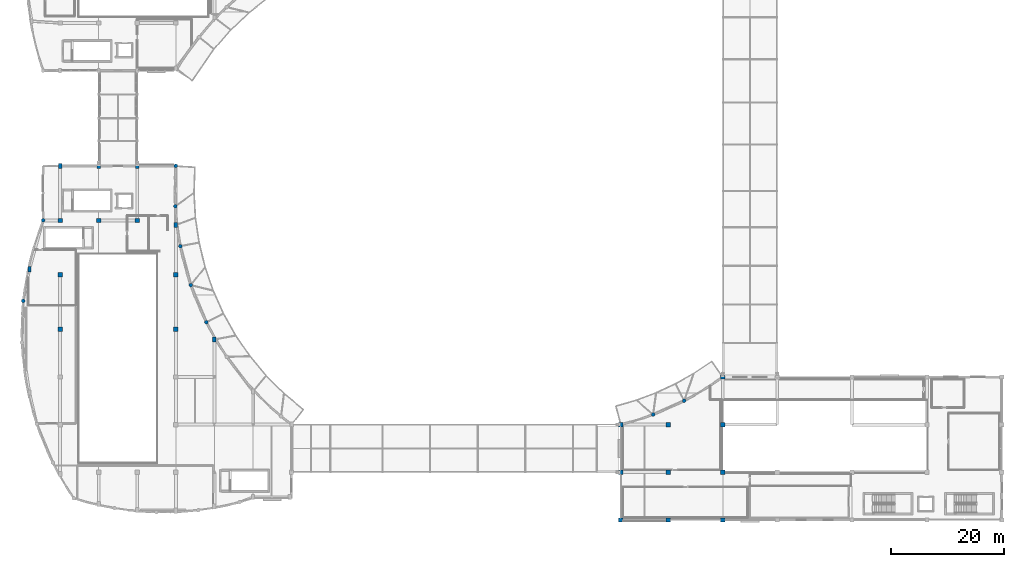
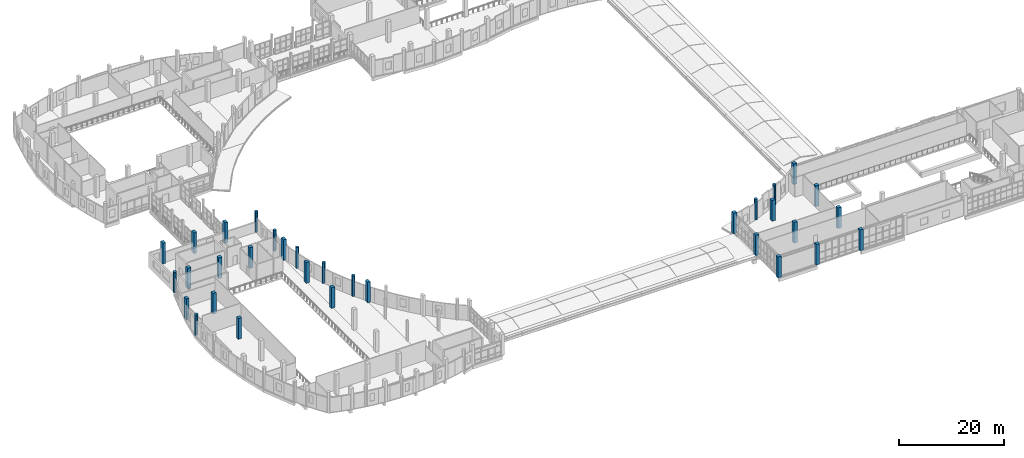
# One storey, part 3 of 106: 32 columns.
"""IFC4 building model written with IfcOpenShell, lengths in metres."""

from ifc_helpers import new_model, si_unit, direction, frame, origin, origin_2d, place, context, subcontext, project, spatial, rectangle, circle, extrude, material, material_profile, profile_set, type_object, element, save


model = new_model("IFC4")

# Units and contexts
model_context = context("Model", 3, precision=1e-05, world=origin(), true_north=direction((0.0, 1.0)))
body_context = subcontext(model_context, "Body", "Model", "MODEL_VIEW")
ifc_project = project(units=[si_unit("LENGTHUNIT", "METRE"), si_unit("AREAUNIT", "SQUARE_METRE"), si_unit("VOLUMEUNIT", "CUBIC_METRE"), si_unit("PLANEANGLEUNIT", "RADIAN"), si_unit("MASSUNIT", "GRAM", prefix="KILO")], contexts=[model_context])

# Site, building, storey
site_placement = place(None, origin())
site = spatial("IfcSite", under=ifc_project, at=site_placement, CompositionType="ELEMENT")
building_placement = place(site_placement, origin())
building = spatial("IfcBuilding", under=site, at=building_placement, Name="Kisaragi Civic Commons", CompositionType="ELEMENT")
storey_placement = place(building_placement, frame((0.0, 0.0, 4.800048828125)))
storey = spatial("IfcBuildingStorey", under=building, at=storey_placement, Name="L01", CompositionType="ELEMENT", Elevation=4.800048828125)

# Columns
ifc_material_1 = material(Name="Concrete Fc36", Category="concrete")
ifc_material_profile_1 = material_profile(ifc_material_1, rectangle(XDim=0.75, YDim=0.75, at=origin_2d()), Name="RC-750x750", Category="concrete")
ifc_profile_set_1 = profile_set([ifc_material_profile_1], Name="Concrete Fc36")
column_type_1 = type_object("IfcColumnType", Name="C-02", PredefinedType="COLUMN", material=ifc_profile_set_1)
for number, where, z_axis, x_axis, name in (
    (1, (6.800048828125, 33.60009765625, 0.0), (0.0, 0.0, 1.0), (1.0, 0.0, 0.0), "L01 column C-02 (6.8,33.6)"),
    (2, (6.800048828125, 43.199951171875, 0.0), (0.0, 0.0, 1.0), (1.0, 0.0, 0.0), "L01 column C-02 (6.8,43.2)"),
    (3, (6.800048828125, 52.800048828125, 0.0), (0.0, 0.0, 1.0), (1.0, 0.0, 0.0), "L01 column C-02 (6.8,52.8)"),
    (4, (13.60009765625, 52.800048828125, 0.0), (0.0, 0.0, 1.0), (1.0, 0.0, 0.0), "L01 column C-02 (13.6,52.8)"),
    (5, (20.39990234375, 52.800048828125, 0.0), (0.0, 0.0, 1.0), (1.0, 0.0, 0.0), "L01 column C-02 (20.4,52.8)"),
    (6, (27.199951171875, 33.60009765625, 0.0), (0.0, 0.0, 1.0), (1.0, 0.0, 0.0), "L01 column C-02 (27.2,33.6)"),
    (7, (27.199951171875, 43.199951171875, 0.0), (0.0, 0.0, 1.0), (1.0, 0.0, 0.0), "L01 column C-02 (27.2,43.2)"),
    (8, (114.0, 8.39990234375, 0.0), (0.0, 0.0, 1.0), (1.0, 0.0, 0.0), "L01 column C-02 (114.0,8.4)"),
    (9, (114.0, 16.800048828125, 0.0), (0.0, 0.0, 1.0), (1.0, 0.0, 0.0), "L01 column C-02 (114.0,16.8)"),
    (10, (123.60009765625, 8.39990234375, 0.0), (0.0, 0.0, 1.0), (1.0, 0.0, 0.0), "L01 column C-02 (123.6,8.4)"),
    (11, (123.60009765625, 16.800048828125, 0.0), (0.0, 0.0, 1.0), (1.0, 0.0, 0.0), "L01 column C-02 (123.6,16.8)"),
):
    element("IfcColumn", number, at=place(storey_placement, frame(where, z_axis=z_axis, x_axis=x_axis)), inside=storey, type_object=column_type_1, Name=name, PredefinedType="COLUMN", context=body_context, shape_type="SweptSolid", body=[
        extrude(rectangle(XDim=0.75, YDim=0.75, at=origin_2d()), origin(), (0.0, 0.0, 1.0), 4.800048828125),
    ])
ifc_material_profile_2 = material_profile(ifc_material_1, rectangle(XDim=0.75, YDim=0.75, at=origin_2d()), Name="RC-750x750", Category="concrete")
ifc_profile_set_2 = profile_set([ifc_material_profile_2], Name="Concrete Fc36")
column_type_2 = type_object("IfcColumnType", Name="C-06", PredefinedType="COLUMN", material=ifc_profile_set_2)
for number, where, z_axis, x_axis, name in (
    (12, (105.60009765625, 0.0, 0.0), (0.0, 0.0, 1.0), (1.0, 0.0, 0.0), "L01 column C-06 (105.6,0.0)"),
    (13, (105.60009765625, 8.39990234375, 0.0), (0.0, 0.0, 1.0), (1.0, 0.0, 0.0), "L01 column C-06 (105.6,8.4)"),
    (14, (105.60009765625, 16.800048828125, 0.0), (0.0, 0.0, 1.0), (1.0, 0.0, 0.0), "L01 column C-06 (105.6,16.8)"),
    (15, (114.0, 0.0, 0.0), (0.0, 0.0, 1.0), (1.0, 0.0, 0.0), "L01 column C-06 (114.0,0.0)"),
    (16, (123.60009765625, 0.0, 0.0), (0.0, 0.0, 1.0), (1.0, 0.0, 0.0), "L01 column C-06 (123.6,0.0)"),
    (17, (123.60009765625, 25.199951171875, 0.0), (0.0, 0.0, 1.0), (1.0, 0.0, 0.0), "L01 column C-06 (123.6,25.2)"),
):
    element("IfcColumn", number, at=place(storey_placement, frame(where, z_axis=z_axis, x_axis=x_axis)), inside=storey, type_object=column_type_2, Name=name, PredefinedType="COLUMN", context=body_context, shape_type="SweptSolid", body=[
        extrude(rectangle(XDim=0.75, YDim=0.75, at=origin_2d()), origin(), (0.0, 0.0, 1.0), 4.800048828125),
    ])
ifc_material_profile_3 = material_profile(ifc_material_1, rectangle(XDim=0.60009765625, YDim=0.89990234375, at=origin_2d()), Name="RC-600x900", Category="concrete")
ifc_profile_set_3 = profile_set([ifc_material_profile_3], Name="Concrete Fc36")
column_type_3 = type_object("IfcColumnType", Name="C-09", PredefinedType="COLUMN", material=ifc_profile_set_3)
for number, where, z_axis, x_axis, name in (
    (18, (1.39990234375, 44.1923828125, 0.0), (0.0, 0.0, 1.0), (1.0, 0.0, 0.0), "L01 column C-09 (1.4,44.2)"),
    (19, (6.800048828125, 62.39990234375, 0.0), (0.0, 0.0, 1.0), (1.0, 0.0, 0.0), "L01 column C-09 (6.8,62.4)"),
    (20, (13.60009765625, 62.39990234375, 0.0), (0.0, 0.0, 1.0), (1.0, 0.0, 0.0), "L01 column C-09 (13.6,62.4)"),
    (21, (20.39990234375, 62.39990234375, 0.0), (0.0, 0.0, 1.0), (1.0, 0.0, 0.0), "L01 column C-09 (20.4,62.4)"),
    (22, (27.199951171875, 51.97900390625, 0.0), (0.0, 0.0, 1.0), (1.0, 0.0, 0.0), "L01 column C-09 (27.2,52.0)"),
    (23, (34.0, 31.811279296875, 0.0), (0.0, 0.0, 1.0), (1.0, 0.0, 0.0), "L01 column C-09 (34.0,31.8)"),
):
    element("IfcColumn", number, at=place(storey_placement, frame(where, z_axis=z_axis, x_axis=x_axis)), inside=storey, type_object=column_type_3, Name=name, PredefinedType="COLUMN", context=body_context, shape_type="SweptSolid", body=[
        extrude(rectangle(XDim=0.60009765625, YDim=0.89990234375, at=origin_2d()), origin(), (0.0, 0.0, 1.0), 4.800048828125),
    ])
ifc_material_2 = material(Name="Concrete Fc30", Category="concrete")
ifc_material_profile_4 = material_profile(ifc_material_2, circle(Radius=0.324951171875, at=origin_2d()), Name="RC-D650", Category="concrete")
ifc_profile_set_4 = profile_set([ifc_material_profile_4], Name="Concrete Fc30")
column_type_4 = type_object("IfcColumnType", Name="C-12", PredefinedType="COLUMN", material=ifc_profile_set_4)
for number, where, z_axis, x_axis, name in (
    (24, (0.28125, 38.604248046875, 0.0), (0.0, 0.0, 1.0), (1.0, 0.0, 0.0), "L01 column C-12 (0.3,38.6)"),
    (25, (3.800048828125, 52.800048828125, 0.0), (0.0, 0.0, 1.0), (1.0, 0.0, 0.0), "L01 column C-12 (3.8,52.8)"),
    (26, (27.114501953125, 55.30029296875, 0.0), (0.0, 0.0, 1.0), (1.0, 0.0, 0.0), "L01 column C-12 (27.1,55.3)"),
    (27, (27.199951171875, 62.39990234375, 0.0), (0.0, 0.0, 1.0), (1.0, 0.0, 0.0), "L01 column C-12 (27.2,62.4)"),
    (28, (27.996826171875, 48.25537109375, 0.0), (0.0, 0.0, 1.0), (1.0, 0.0, 0.0), "L01 column C-12 (28.0,48.3)"),
    (29, (29.83056640625, 41.39599609375, 0.0), (0.0, 0.0, 1.0), (1.0, 0.0, 0.0), "L01 column C-12 (29.8,41.4)"),
    (30, (32.581787109375, 34.8505859375, 0.0), (0.0, 0.0, 1.0), (1.0, 0.0, 0.0), "L01 column C-12 (32.6,34.9)"),
    (31, (111.3212890625, 18.5830078125, 0.0), (0.0, 0.0, 1.0), (1.0, 0.0, 0.0), "L01 column C-12 (111.3,18.6)"),
    (32, (116.79931640625, 21.01220703125, 0.0), (0.0, 0.0, 1.0), (1.0, 0.0, 0.0), "L01 column C-12 (116.8,21.0)"),
):
    element("IfcColumn", number, at=place(storey_placement, frame(where, z_axis=z_axis, x_axis=x_axis)), inside=storey, type_object=column_type_4, Name=name, PredefinedType="COLUMN", context=body_context, shape_type="SweptSolid", body=[
        extrude(circle(Radius=0.324951171875, at=origin_2d()), origin(), (0.0, 0.0, 1.0), 4.800048828125),
    ])

save(model, "model.ifc")
